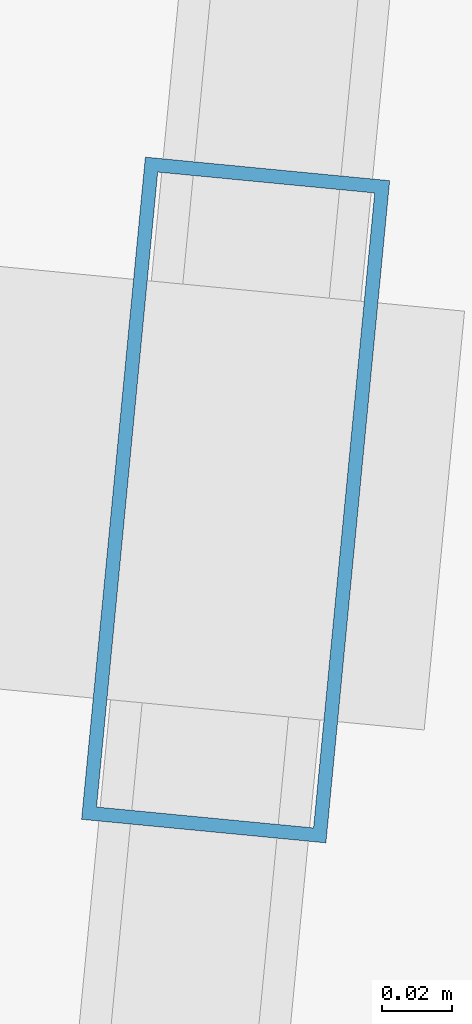
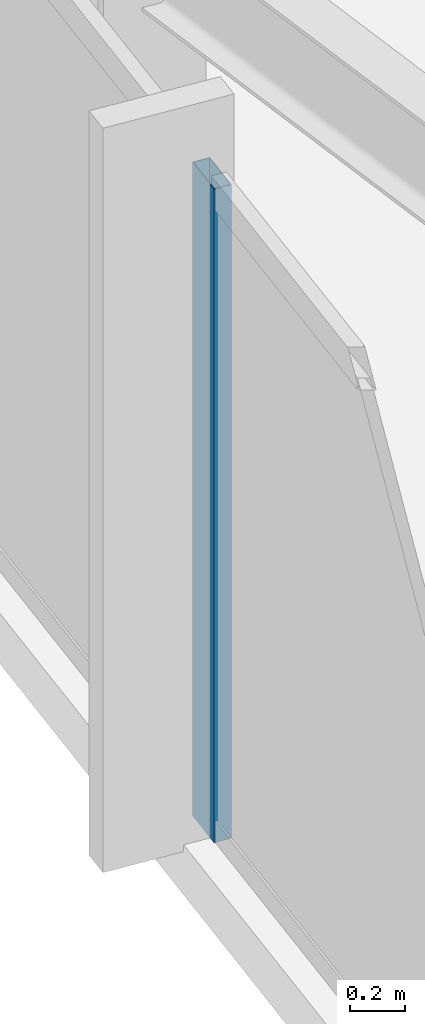
# One storey, part 4 of 37: 1 member, 1 element without a shape of its own.
"""IFC4 building model written with IfcOpenShell, lengths in metres."""

from ifc_helpers import new_model, si_unit, direction, frame, origin, origin_2d, place, context, subcontext, project, spatial, hollow_rectangle, extrude, material, material_profile, profile_set, type_object, element, aggregate, save


model = new_model("IFC4")

# Units and contexts
model_context = context("Model", 3, precision=1e-05, world=origin(), true_north=direction((0.0, 1.0)))
body_context = subcontext(model_context, "Body", "Model", "MODEL_VIEW")
ifc_project = project(units=[si_unit("LENGTHUNIT", "METRE"), si_unit("AREAUNIT", "SQUARE_METRE"), si_unit("VOLUMEUNIT", "CUBIC_METRE"), si_unit("PLANEANGLEUNIT", "RADIAN"), si_unit("MASSUNIT", "GRAM", prefix="KILO")], contexts=[model_context])

# Site, building, storey
site_placement = place(None, origin())
site = spatial("IfcSite", under=ifc_project, at=site_placement, CompositionType="ELEMENT")
building_placement = place(site_placement, origin())
building = spatial("IfcBuilding", under=site, at=building_placement, Name="Yelkora Congress Tower", CompositionType="ELEMENT")
storey_placement = place(building_placement, frame((0.0, 0.0, 188.60009765625)))
storey = spatial("IfcBuildingStorey", under=building, at=storey_placement, Name="L52", CompositionType="ELEMENT", Elevation=188.60009765625)

# Curtain wall, member
ifc_material_1 = material(Name="Anodised aluminium and insulated glass", Category="aluminium")
curtain_wall_type = type_object("IfcCurtainWallType", Name="CW-SYS-B3", PredefinedType="NOTDEFINED", material=ifc_material_1)
curtain_wall_placement = place(storey_placement, origin())
curtain_wall = element("IfcCurtainWall", 1, at=curtain_wall_placement, inside=storey, type_object=curtain_wall_type, Name="L52 Unitised Curtain Wall 5", PredefinedType="NOTDEFINED")
ifc_material_2 = material(Name="Anodised aluminium 6063-T6", Category="aluminium")
ifc_material_profile = material_profile(ifc_material_2, hollow_rectangle(XDim=0.070068359375, YDim=0.18994140625, WallThickness=0.00390625, at=origin_2d()), Name="ALU 70x190x4")
ifc_profile_set = profile_set([ifc_material_profile], Name="Anodised aluminium 6063-T6")
member_type = type_object("IfcMemberType", Name="MEM-ML-B3", PredefinedType="MULLION", material=ifc_profile_set)
member_placement = place(storey_placement, frame((1.9248046875, 22.962158203125, 0.0), z_axis=(0.0, 0.0, 1.0), x_axis=(-0.995396242473, 0.095845294465, 0.0)))
member = element("IfcMember", 2, at=member_placement, type_object=member_type, Name="CW-B3 mullion 2", PredefinedType="MULLION", context=body_context, shape_type="SweptSolid", body=[
    extrude(hollow_rectangle(XDim=0.070068359375, YDim=0.18994140625, WallThickness=0.00390625, at=origin_2d()), origin(), (0.0, 0.0, 1.0), 2.8798828125),
])
aggregate(curtain_wall, [member])

save(model, "model.ifc")
